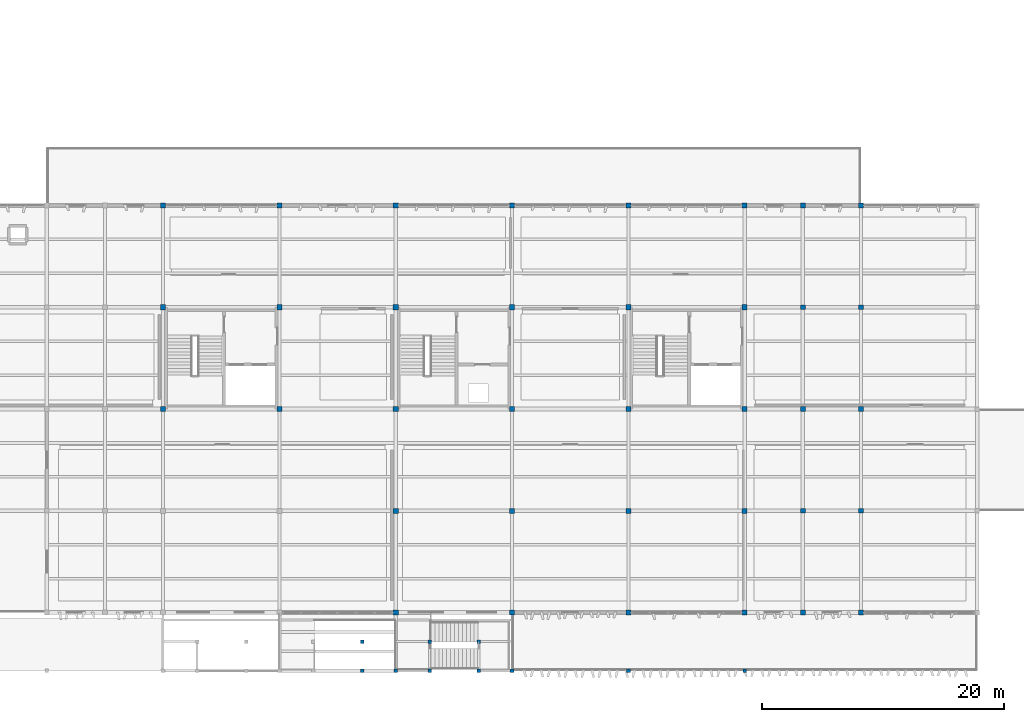
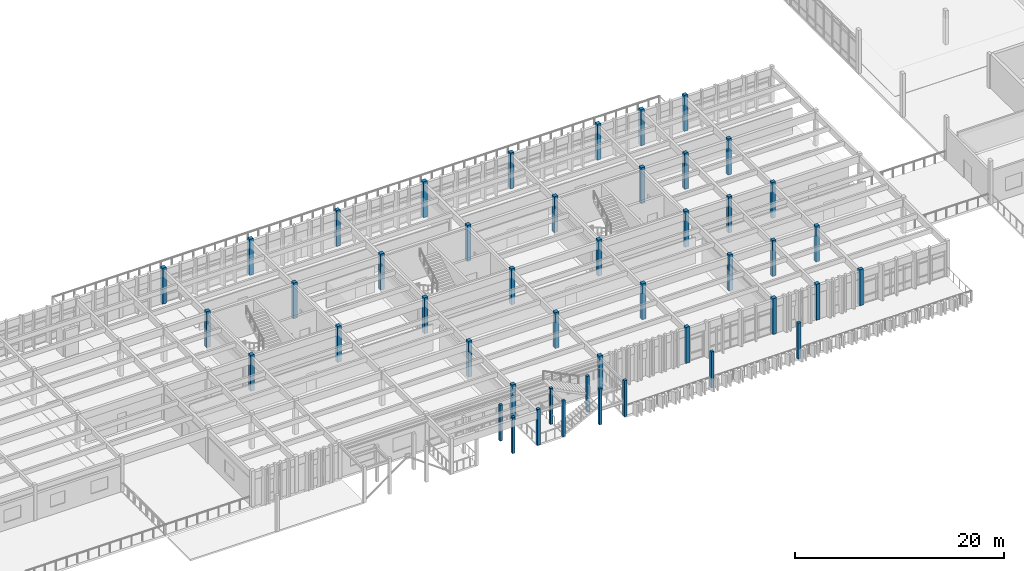
# One storey, part 2 of 61: 46 columns.
"""IFC4 building model written with IfcOpenShell, lengths in metres."""

from ifc_helpers import new_model, si_unit, direction, frame, origin, origin_2d, place, context, subcontext, project, spatial, rectangle, extrude, material, material_profile, profile_set, type_object, element, save


model = new_model("IFC4")

# Units and contexts
model_context = context("Model", 3, precision=1e-05, world=origin(), true_north=direction((0.0, 1.0)))
body_context = subcontext(model_context, "Body", "Model", "MODEL_VIEW")
ifc_project = project(units=[si_unit("LENGTHUNIT", "METRE"), si_unit("AREAUNIT", "SQUARE_METRE"), si_unit("VOLUMEUNIT", "CUBIC_METRE"), si_unit("PLANEANGLEUNIT", "RADIAN"), si_unit("MASSUNIT", "GRAM", prefix="KILO")], contexts=[model_context])

# Site, building, storey
site_placement = place(None, origin())
site = spatial("IfcSite", under=ifc_project, at=site_placement, CompositionType="ELEMENT")
building_placement = place(site_placement, origin())
building = spatial("IfcBuilding", under=site, at=building_placement, Name="Kolvemor Railside Polytechnic", CompositionType="ELEMENT")
storey_placement = place(building_placement, frame((0.0, 0.0, 10.199951171875)))
storey = spatial("IfcBuildingStorey", under=building, at=storey_placement, Name="L02", CompositionType="ELEMENT", Elevation=10.199951171875)

# Columns
ifc_material_1 = material(Name="Glulam GL28h", Category="wood")
ifc_material_profile_1 = material_profile(ifc_material_1, rectangle(XDim=0.2900390625, YDim=0.2900390625, at=origin_2d()), Name="GL290x290")
ifc_profile_set_1 = profile_set([ifc_material_profile_1], Name="Glulam GL28h")
column_type_1 = type_object("IfcColumnType", Name="COL-GL290", PredefinedType="COLUMN", material=ifc_profile_set_1)
for number, where, z_axis, x_axis, name in (
    (1, (83.64990234375, 0.0, 0.0), (0.0, 0.0, 1.0), (1.0, 0.0, 0.0), "Column L02-C084"),
    (2, (83.64990234375, 2.39990234375, 0.0), (0.0, 0.0, 1.0), (1.0, 0.0, 0.0), "Column L02-C085"),
    (3, (89.199951171875, 0.0, 0.0), (0.0, 0.0, 1.0), (1.0, 0.0, 0.0), "Column L02-C092"),
    (4, (89.199951171875, 2.39990234375, 0.0), (0.0, 0.0, 1.0), (1.0, 0.0, 0.0), "Column L02-C093"),
    (5, (93.25, 0.0, 0.0), (0.0, 0.0, 1.0), (1.0, 0.0, 0.0), "Column L02-C094"),
    (6, (93.25, 2.39990234375, 0.0), (0.0, 0.0, 1.0), (1.0, 0.0, 0.0), "Column L02-C095"),
):
    element("IfcColumn", number, at=place(storey_placement, frame(where, z_axis=z_axis, x_axis=x_axis)), inside=storey, type_object=column_type_1, Name=name, PredefinedType="COLUMN", context=body_context, shape_type="SweptSolid", body=[
        extrude(rectangle(XDim=0.2900390625, YDim=0.2900390625, at=origin_2d()), origin(), (0.0, 0.0, 1.0), 4.199951171875),
    ])
ifc_material_2 = material(Name="Glulam GL28h", Category="wood")
ifc_material_profile_2 = material_profile(ifc_material_2, rectangle(XDim=0.31494140625, YDim=0.31494140625, at=origin_2d()), Name="GL315x315")
ifc_profile_set_2 = profile_set([ifc_material_profile_2], Name="Glulam GL28h")
column_type_2 = type_object("IfcColumnType", Name="COL-GL315", PredefinedType="COLUMN", material=ifc_profile_set_2)
for number, where, z_axis, x_axis, name in (
    (7, (86.39990234375, 0.0, 0.0), (0.0, 0.0, 1.0), (1.0, 0.0, 0.0), "Column L02-C086"),
    (8, (96.0, 0.0, 0.0), (0.0, 0.0, 1.0), (1.0, 0.0, 0.0), "Column L02-C096"),
    (9, (105.60009765625, 0.0, 0.0), (0.0, 0.0, 1.0), (1.0, 0.0, 0.0), "Column L02-C102"),
    (10, (115.199951171875, 0.0, 0.0), (0.0, 0.0, 1.0), (1.0, 0.0, 0.0), "Column L02-C108"),
):
    element("IfcColumn", number, at=place(storey_placement, frame(where, z_axis=z_axis, x_axis=x_axis)), inside=storey, type_object=column_type_2, Name=name, PredefinedType="COLUMN", context=body_context, shape_type="SweptSolid", body=[
        extrude(rectangle(XDim=0.31494140625, YDim=0.31494140625, at=origin_2d()), origin(), (0.0, 0.0, 1.0), 4.199951171875),
    ])
ifc_material_3 = material(Name="Glulam GL28h", Category="wood")
ifc_material_profile_3 = material_profile(ifc_material_3, rectangle(XDim=0.39990234375, YDim=0.39990234375, at=origin_2d()), Name="GL400x400")
ifc_profile_set_3 = profile_set([ifc_material_profile_3], Name="Glulam GL28h")
column_type_3 = type_object("IfcColumnType", Name="COL-GL400", PredefinedType="COLUMN", material=ifc_profile_set_3)
for number, where, z_axis, x_axis, name in (
    (11, (120.0, 4.800048828125, 0.0), (0.0, 0.0, 1.0), (1.0, 0.0, 0.0), "Column L02-C114"),
    (12, (120.0, 13.199951171875, 0.0), (0.0, 0.0, 1.0), (1.0, 0.0, 0.0), "Column L02-C115"),
    (13, (120.0, 21.60009765625, 0.0), (0.0, 0.0, 1.0), (1.0, 0.0, 0.0), "Column L02-C116"),
    (14, (120.0, 30.0, 0.0), (0.0, 0.0, 1.0), (1.0, 0.0, 0.0), "Column L02-C117"),
    (15, (120.0, 38.39990234375, 0.0), (0.0, 0.0, 1.0), (1.0, 0.0, 0.0), "Column L02-C118"),
    (16, (124.800048828125, 4.800048828125, 0.0), (0.0, 0.0, 1.0), (1.0, 0.0, 0.0), "Column L02-C119"),
    (17, (124.800048828125, 13.199951171875, 0.0), (0.0, 0.0, 1.0), (1.0, 0.0, 0.0), "Column L02-C120"),
    (18, (124.800048828125, 21.60009765625, 0.0), (0.0, 0.0, 1.0), (1.0, 0.0, 0.0), "Column L02-C121"),
    (19, (124.800048828125, 30.0, 0.0), (0.0, 0.0, 1.0), (1.0, 0.0, 0.0), "Column L02-C122"),
    (20, (124.800048828125, 38.39990234375, 0.0), (0.0, 0.0, 1.0), (1.0, 0.0, 0.0), "Column L02-C123"),
):
    element("IfcColumn", number, at=place(storey_placement, frame(where, z_axis=z_axis, x_axis=x_axis)), inside=storey, type_object=column_type_3, Name=name, PredefinedType="COLUMN", context=body_context, shape_type="SweptSolid", body=[
        extrude(rectangle(XDim=0.39990234375, YDim=0.39990234375, at=origin_2d()), origin(), (0.0, 0.0, 1.0), 4.199951171875),
    ])
ifc_material_4 = material(Name="Glulam GL28h", Category="wood")
ifc_material_profile_4 = material_profile(ifc_material_4, rectangle(XDim=0.419921875, YDim=0.419921875, at=origin_2d()), Name="GL420x420")
ifc_profile_set_4 = profile_set([ifc_material_profile_4], Name="Glulam GL28h")
column_type_4 = type_object("IfcColumnType", Name="COL-GL420", PredefinedType="COLUMN", material=ifc_profile_set_4)
for number, where, z_axis, x_axis, name in (
    (21, (67.199951171875, 21.60009765625, 0.0), (0.0, 0.0, 1.0), (1.0, 0.0, 0.0), "Column L02-C069"),
    (22, (67.199951171875, 30.0, 0.0), (0.0, 0.0, 1.0), (1.0, 0.0, 0.0), "Column L02-C070"),
    (23, (67.199951171875, 38.39990234375, 0.0), (0.0, 0.0, 1.0), (1.0, 0.0, 0.0), "Column L02-C071"),
    (24, (76.800048828125, 21.60009765625, 0.0), (0.0, 0.0, 1.0), (1.0, 0.0, 0.0), "Column L02-C079"),
    (25, (76.800048828125, 30.0, 0.0), (0.0, 0.0, 1.0), (1.0, 0.0, 0.0), "Column L02-C080"),
    (26, (76.800048828125, 38.39990234375, 0.0), (0.0, 0.0, 1.0), (1.0, 0.0, 0.0), "Column L02-C081"),
    (27, (86.39990234375, 4.800048828125, 0.0), (0.0, 0.0, 1.0), (1.0, 0.0, 0.0), "Column L02-C087"),
    (28, (86.39990234375, 13.199951171875, 0.0), (0.0, 0.0, 1.0), (1.0, 0.0, 0.0), "Column L02-C088"),
    (29, (86.39990234375, 21.60009765625, 0.0), (0.0, 0.0, 1.0), (1.0, 0.0, 0.0), "Column L02-C089"),
    (30, (86.39990234375, 30.0, 0.0), (0.0, 0.0, 1.0), (1.0, 0.0, 0.0), "Column L02-C090"),
    (31, (86.39990234375, 38.39990234375, 0.0), (0.0, 0.0, 1.0), (1.0, 0.0, 0.0), "Column L02-C091"),
    (32, (96.0, 4.800048828125, 0.0), (0.0, 0.0, 1.0), (1.0, 0.0, 0.0), "Column L02-C097"),
    (33, (96.0, 13.199951171875, 0.0), (0.0, 0.0, 1.0), (1.0, 0.0, 0.0), "Column L02-C098"),
    (34, (96.0, 21.60009765625, 0.0), (0.0, 0.0, 1.0), (1.0, 0.0, 0.0), "Column L02-C099"),
    (35, (96.0, 30.0, 0.0), (0.0, 0.0, 1.0), (1.0, 0.0, 0.0), "Column L02-C100"),
    (36, (96.0, 38.39990234375, 0.0), (0.0, 0.0, 1.0), (1.0, 0.0, 0.0), "Column L02-C101"),
    (37, (105.60009765625, 4.800048828125, 0.0), (0.0, 0.0, 1.0), (1.0, 0.0, 0.0), "Column L02-C103"),
    (38, (105.60009765625, 13.199951171875, 0.0), (0.0, 0.0, 1.0), (1.0, 0.0, 0.0), "Column L02-C104"),
    (39, (105.60009765625, 21.60009765625, 0.0), (0.0, 0.0, 1.0), (1.0, 0.0, 0.0), "Column L02-C105"),
    (40, (105.60009765625, 30.0, 0.0), (0.0, 0.0, 1.0), (1.0, 0.0, 0.0), "Column L02-C106"),
    (41, (105.60009765625, 38.39990234375, 0.0), (0.0, 0.0, 1.0), (1.0, 0.0, 0.0), "Column L02-C107"),
    (42, (115.199951171875, 4.800048828125, 0.0), (0.0, 0.0, 1.0), (1.0, 0.0, 0.0), "Column L02-C109"),
    (43, (115.199951171875, 13.199951171875, 0.0), (0.0, 0.0, 1.0), (1.0, 0.0, 0.0), "Column L02-C110"),
    (44, (115.199951171875, 21.60009765625, 0.0), (0.0, 0.0, 1.0), (1.0, 0.0, 0.0), "Column L02-C111"),
    (45, (115.199951171875, 30.0, 0.0), (0.0, 0.0, 1.0), (1.0, 0.0, 0.0), "Column L02-C112"),
    (46, (115.199951171875, 38.39990234375, 0.0), (0.0, 0.0, 1.0), (1.0, 0.0, 0.0), "Column L02-C113"),
):
    element("IfcColumn", number, at=place(storey_placement, frame(where, z_axis=z_axis, x_axis=x_axis)), inside=storey, type_object=column_type_4, Name=name, PredefinedType="COLUMN", context=body_context, shape_type="SweptSolid", body=[
        extrude(rectangle(XDim=0.419921875, YDim=0.419921875, at=origin_2d()), origin(), (0.0, 0.0, 1.0), 4.199951171875),
    ])

save(model, "model.ifc")
